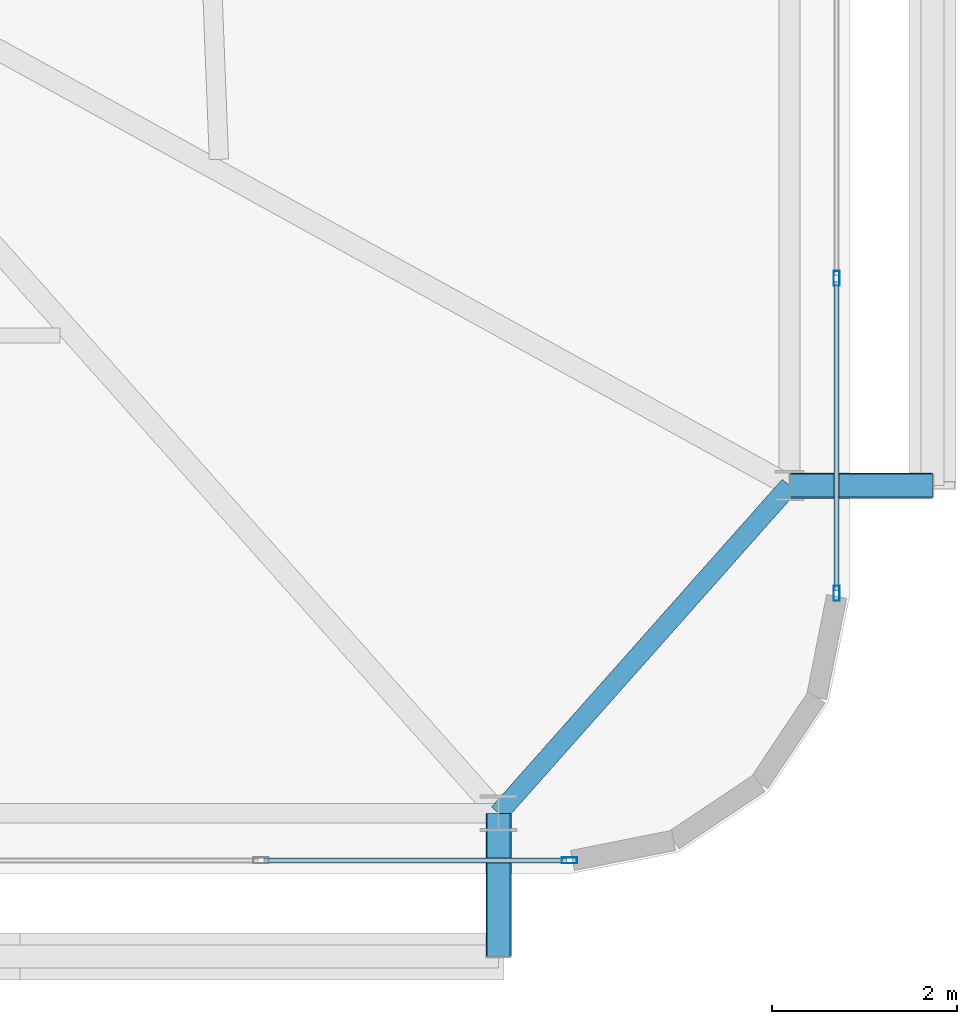
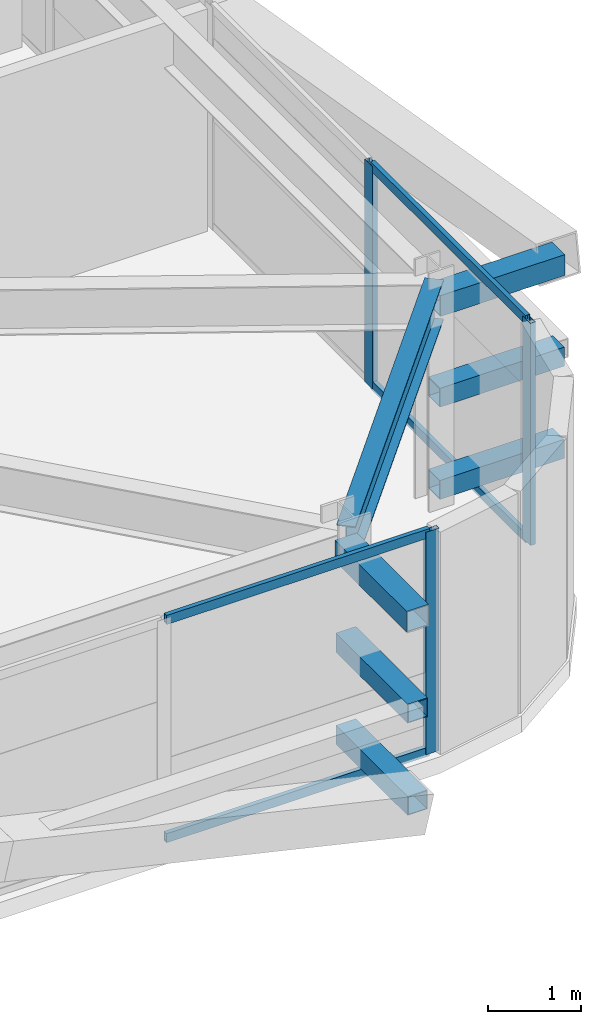
# One storey, part 24 of 59: 13 members, 1 beam, 2 elements without a shape of their own.
"""IFC4 building model written with IfcOpenShell, lengths in metres."""

from ifc_helpers import new_model, si_unit, direction, frame, origin, origin_2d, place, context, subcontext, project, spatial, hollow_rectangle, i_section, extrude, source, transform, mapped, material, layer, layer_set, material_profile, profile_set, type_object, element, aggregate, save


model = new_model("IFC4")

# Units and contexts
model_context = context("Model", 3, precision=1e-05, world=origin(), true_north=direction((0.0, 1.0)))
body_context = subcontext(model_context, "Body", "Model", "MODEL_VIEW")
ifc_project = project(units=[si_unit("LENGTHUNIT", "METRE"), si_unit("AREAUNIT", "SQUARE_METRE"), si_unit("VOLUMEUNIT", "CUBIC_METRE"), si_unit("PLANEANGLEUNIT", "RADIAN"), si_unit("MASSUNIT", "GRAM", prefix="KILO")], contexts=[model_context])

# Site, building, storey
site_placement = place(None, origin())
site = spatial("IfcSite", under=ifc_project, at=site_placement, CompositionType="ELEMENT")
building_placement = place(site_placement, origin())
building = spatial("IfcBuilding", under=site, at=building_placement, Name="Taldren Reach Tower", CompositionType="ELEMENT")
storey_placement = place(building_placement, frame((0.0, 0.0, 19.949951171875)))
storey = spatial("IfcBuildingStorey", under=building, at=storey_placement, Name="L05", CompositionType="ELEMENT", Elevation=19.949951171875)

# Beam
ifc_material_1 = material(Name="Steel Gr 350 (350PLUS)", Category="steel")
ifc_material_profile_1 = material_profile(ifc_material_1, i_section(OverallWidth=0.208984375, OverallDepth=0.528076171875, WebThickness=0.009521484375, FlangeThickness=0.01318359375, at=origin_2d()), Name="530UB82.0")
ifc_profile_set_1 = profile_set([ifc_material_profile_1], Name="Steel Gr 350 (350PLUS)")
beam_type = type_object("IfcBeamType", Name="SP-UB530B", PredefinedType="SPANDREL", material=ifc_profile_set_1)
shared_shape_1 = source(origin(), body_context, "Body", "SweptSolid", [
    extrude(i_section(OverallWidth=0.208984375, OverallDepth=0.528076171875, WebThickness=0.009521484375, FlangeThickness=0.01318359375, at=origin_2d()), origin(), (0.0, 0.0, 1.0), 4.74609375),
])
beam_placement = place(storey_placement, frame((61.199951171875, 2.14990234375, 2.666015625), z_axis=(0.663721843779, 0.747979487747, 0.0), x_axis=(-0.747979487747, 0.663721843779, 0.0)))
element("IfcBeam", 1, at=beam_placement, inside=storey, type_object=beam_type, Name="Perimeter spandrel B1 S6-E1 L05", PredefinedType="SPANDREL", context=body_context, shape_type="MappedRepresentation", body=[
    mapped(shared_shape_1, transform((0.0, 0.0, 0.0), scale=1.0)),
])

# Members
ifc_material_2 = material(Name="Steel Gr 450 (C450L0)", Category="steel")
ifc_material_profile_2 = material_profile(ifc_material_2, hollow_rectangle(XDim=0.27490234375, YDim=0.27490234375, WallThickness=0.00927734375, at=origin_2d()), Name="275x275x9.3SHS")
ifc_profile_set_2 = profile_set([ifc_material_profile_2], Name="Steel Gr 450 (C450L0)")
member_type_1 = type_object("IfcMemberType", Name="MB-TIE273", PredefinedType="STRUT", material=ifc_profile_set_2)
shared_shape_2 = source(origin(), body_context, "Body", "SweptSolid", [
    extrude(hollow_rectangle(XDim=0.27490234375, YDim=0.27490234375, WallThickness=0.00927734375, at=origin_2d()), origin(), (0.0, 0.0, 1.0), 1.5498046875),
])
for number, where, z_axis, x_axis, name in (
    (2, (61.199951171875, 2.14990234375, 2.650146484375), (0.0, -1.0, 0.0), (1.0, 0.0, 0.0), "Exoskeleton diaphragm tie strut B1-S6 L05"),
    (3, (64.35009765625, 5.699951171875, 2.650146484375), (1.0, 0.0, 0.0), (0.0, 1.0, 0.0), "Exoskeleton diaphragm tie strut B1-E1 L05"),
):
    element("IfcMember", number, at=place(storey_placement, frame(where, z_axis=z_axis, x_axis=x_axis)), inside=storey, type_object=member_type_1, Name=name, PredefinedType="STRUT", context=body_context, shape_type="MappedRepresentation", body=[
        mapped(shared_shape_2, transform((0.0, 0.0, 0.0), scale=1.0)),
    ])
ifc_material_3 = material(Name="Steel Gr 350 (C350L0)", Category="steel")
ifc_material_profile_3 = material_profile(ifc_material_3, hollow_rectangle(XDim=0.25, YDim=0.25, WallThickness=0.010009765625, at=origin_2d()), Name="250x250x10.0SHS")
ifc_profile_set_3 = profile_set([ifc_material_profile_3], Name="Steel Gr 350 (C350L0)")
member_type_2 = type_object("IfcMemberType", Name="MB-POST250", PredefinedType="POST", material=ifc_profile_set_3)
shared_shape_3 = source(origin(), body_context, "Body", "SweptSolid", [
    extrude(hollow_rectangle(XDim=0.25, YDim=0.25, WallThickness=0.010009765625, at=origin_2d()), origin(), (0.0, 0.0, 1.0), 1.5498046875),
])
for number, where, z_axis, x_axis, name in (
    (4, (61.199951171875, 2.14990234375, 0.219970703125), (0.0, -1.0, 0.0), (1.0, 0.0, 0.0), "Exoskeleton base diaphragm tie strut B1-S6 L05"),
    (5, (64.35009765625, 5.699951171875, 0.219970703125), (1.0, 0.0, 0.0), (0.0, 1.0, 0.0), "Exoskeleton base diaphragm tie strut B1-E1 L05"),
    (6, (61.199951171875, 2.14990234375, 1.43505859375), (0.0, -1.0, 0.0), (1.0, 0.0, 0.0), "Exoskeleton mid-tier diaphragm tie B1-S6 L05"),
    (7, (64.35009765625, 5.699951171875, 1.43505859375), (1.0, 0.0, 0.0), (0.0, 1.0, 0.0), "Exoskeleton mid-tier diaphragm tie B1-E1 L05"),
):
    element("IfcMember", number, at=place(storey_placement, frame(where, z_axis=z_axis, x_axis=x_axis)), inside=storey, type_object=member_type_2, Name=name, PredefinedType="POST", context=body_context, shape_type="MappedRepresentation", body=[
        mapped(shared_shape_3, transform((0.0, 0.0, 0.0), scale=1.0)),
    ])

# Curtain wall, member
ifc_material_4 = material(Name="Aluminium and Low-E Glass Unitised System", Category="aluminium")
ifc_layer = layer(ifc_material_4, 0.159912109375)
ifc_layer_set = layer_set([ifc_layer], Name="Aluminium and Low-E Glass Unitised System")
curtain_wall_type = type_object("IfcCurtainWallType", Name="CW-SYS-2", PredefinedType="NOTDEFINED", material=ifc_layer_set)
curtain_wall_1_placement = place(storey_placement, origin())
curtain_wall_1 = element("IfcCurtainWall", 8, at=curtain_wall_1_placement, inside=storey, type_object=curtain_wall_type, Name="Unitised curtain wall CW-L05-S", PredefinedType="NOTDEFINED")
ifc_material_5 = material(Name="Anodised Aluminium 6063-T6", Category="aluminium")
ifc_material_profile_4 = material_profile(ifc_material_5, hollow_rectangle(XDim=0.06494140625, YDim=0.1650390625, WallThickness=0.00390625, at=origin_2d()), Name="ALU-165x65x4RHS")
ifc_profile_set_4 = profile_set([ifc_material_profile_4], Name="Anodised Aluminium 6063-T6")
member_type_3 = type_object("IfcMemberType", Name="CW-MUL-165", PredefinedType="MULLION", material=ifc_profile_set_4)
shared_shape_4 = source(origin(), body_context, "Body", "SweptSolid", [
    extrude(hollow_rectangle(XDim=0.06494140625, YDim=0.1650390625, WallThickness=0.00390625, at=origin_2d()), origin(), (0.0, 0.0, 1.0), 2.929931640625),
])
member_1_placement = place(storey_placement, frame((61.967529296875, 1.639892578125, 0.0), z_axis=(0.0, 0.0, 1.0), x_axis=(0.0, 1.0, 0.0)))
member_1 = element("IfcMember", 9, at=member_1_placement, type_object=member_type_3, Name="CW-2 mullion 17", PredefinedType="MULLION", context=body_context, shape_type="MappedRepresentation", body=[
    mapped(shared_shape_4, transform((0.0, 0.0, 0.0), scale=1.0)),
])

# Curtain wall, members
curtain_wall_2_placement = place(storey_placement, origin())
curtain_wall_2 = element("IfcCurtainWall", 10, at=curtain_wall_2_placement, inside=storey, type_object=curtain_wall_type, Name="Unitised curtain wall CW-L05-E", PredefinedType="NOTDEFINED")
member_2_placement = place(storey_placement, frame((64.860107421875, 4.532470703125, 0.0), z_axis=(0.0, 0.0, 1.0), x_axis=(-1.0, 0.0, 0.0)))
member_2 = element("IfcMember", 11, at=member_2_placement, type_object=member_type_3, Name="CW-2 mullion 1", PredefinedType="MULLION", context=body_context, shape_type="MappedRepresentation", body=[
    mapped(shared_shape_4, transform((0.0, 0.0, 0.0), scale=1.0)),
])
member_3_placement = place(storey_placement, frame((64.860107421875, 7.9443359375, 0.0), z_axis=(0.0, 0.0, 1.0), x_axis=(-1.0, 0.0, 0.0)))
member_3 = element("IfcMember", 12, at=member_3_placement, type_object=member_type_3, Name="CW-2 mullion 2", PredefinedType="MULLION", context=body_context, shape_type="MappedRepresentation", body=[
    mapped(shared_shape_4, transform((0.0, 0.0, 0.0), scale=1.0)),
])

# Member
ifc_material_profile_5 = material_profile(ifc_material_5, hollow_rectangle(XDim=0.054931640625, YDim=0.1201171875, WallThickness=0.0029296875, at=origin_2d()), Name="ALU-120x55x3RHS")
ifc_profile_set_5 = profile_set([ifc_material_profile_5], Name="Anodised Aluminium 6063-T6")
member_type_4 = type_object("IfcMemberType", Name="CW-TRN-135", PredefinedType="USERDEFINED", material=ifc_profile_set_5)
shared_shape_5 = source(origin(), body_context, "Body", "SweptSolid", [
    extrude(hollow_rectangle(XDim=0.054931640625, YDim=0.1201171875, WallThickness=0.0029296875, at=origin_2d()), origin(), (0.0, 0.0, 1.0), 3.277587890625),
])
member_4_placement = place(storey_placement, frame((58.657470703125, 1.639892578125, 0.027587890625), z_axis=(1.0, 0.0, 0.0), x_axis=(0.0, 1.0, 0.0)))
member_4 = element("IfcMember", 13, at=member_4_placement, type_object=member_type_4, Name="CW-2 transom 16.1", ObjectType="TRANSOM", PredefinedType="USERDEFINED", context=body_context, shape_type="MappedRepresentation", body=[
    mapped(shared_shape_5, transform((0.0, 0.0, 0.0), scale=1.0)),
])

member_5_placement = place(storey_placement, frame((58.657470703125, 1.639892578125, 2.902587890625), z_axis=(1.0, 0.0, 0.0), x_axis=(0.0, 1.0, 0.0)))
member_5 = element("IfcMember", 14, at=member_5_placement, type_object=member_type_4, Name="CW-2 transom 16.2", ObjectType="TRANSOM", PredefinedType="USERDEFINED", context=body_context, shape_type="MappedRepresentation", body=[
    mapped(shared_shape_5, transform((0.0, 0.0, 0.0), scale=1.0)),
])

aggregate(curtain_wall_1, [member_1, member_4, member_5])

shared_shape_6 = source(origin(), body_context, "Body", "SweptSolid", [
    extrude(hollow_rectangle(XDim=0.054931640625, YDim=0.1201171875, WallThickness=0.0029296875, at=origin_2d()), origin(), (0.0, 0.0, 1.0), 3.346923828125),
])
member_6_placement = place(storey_placement, frame((64.860107421875, 4.56494140625, 0.027587890625), z_axis=(0.0, 1.0, 0.0), x_axis=(-1.0, 0.0, 0.0)))
member_6 = element("IfcMember", 15, at=member_6_placement, type_object=member_type_4, Name="CW-2 transom 1.1", ObjectType="TRANSOM", PredefinedType="USERDEFINED", context=body_context, shape_type="MappedRepresentation", body=[
    mapped(shared_shape_6, transform((0.0, 0.0, 0.0), scale=1.0)),
])

member_7_placement = place(storey_placement, frame((64.860107421875, 4.56494140625, 2.902587890625), z_axis=(0.0, 1.0, 0.0), x_axis=(-1.0, 0.0, 0.0)))
member_7 = element("IfcMember", 16, at=member_7_placement, type_object=member_type_4, Name="CW-2 transom 1.2", ObjectType="TRANSOM", PredefinedType="USERDEFINED", context=body_context, shape_type="MappedRepresentation", body=[
    mapped(shared_shape_6, transform((0.0, 0.0, 0.0), scale=1.0)),
])

aggregate(curtain_wall_2, [member_2, member_3, member_6, member_7])

save(model, "model.ifc")
